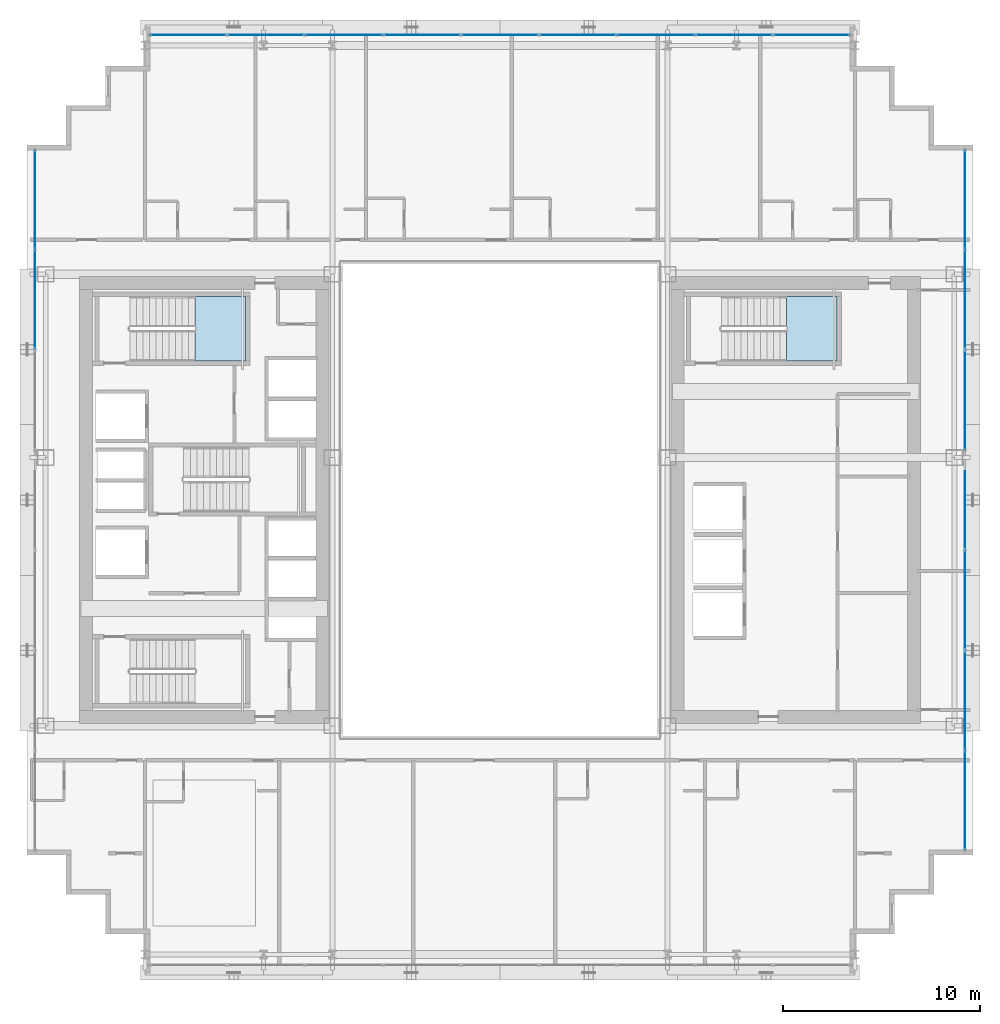
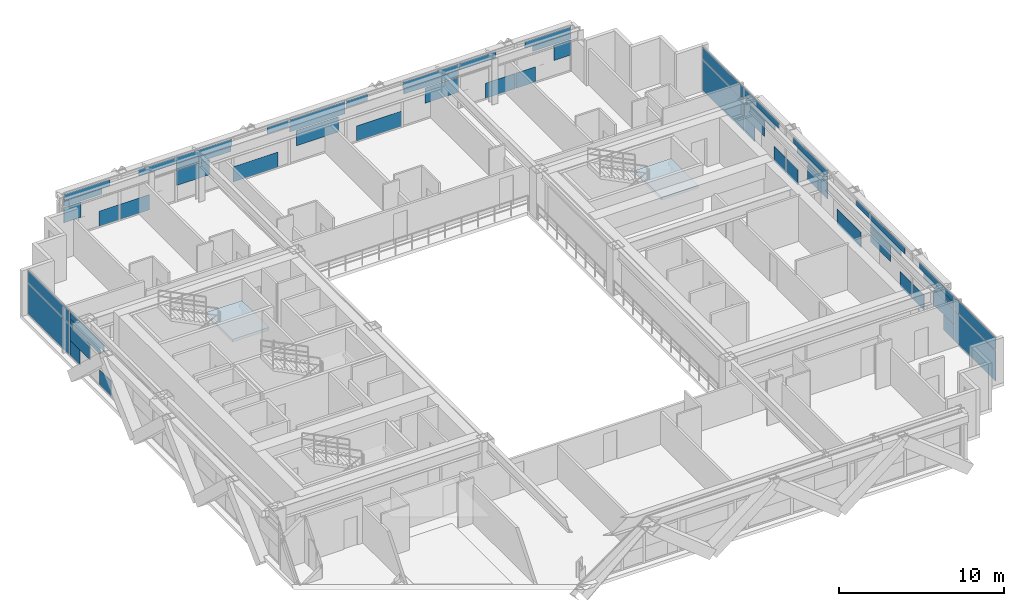
# One storey, part 24 of 35: 55 plates, 2 slabs, 5 elements without a shape of their own.
"""IFC4 building model written with IfcOpenShell, lengths in metres."""

from ifc_helpers import new_model, si_unit, direction, frame, origin, origin_2d, place, context, subcontext, project, spatial, polyline, rectangle, outline, extrude, source, transform, mapped, material, layer, layer_set, type_object, element, aggregate, save


model = new_model("IFC4")

# Units and contexts
model_context = context("Model", 3, precision=1e-05, world=origin(), true_north=direction((0.0, 1.0)))
body_context = subcontext(model_context, "Body", "Model", "MODEL_VIEW")
ifc_project = project(units=[si_unit("LENGTHUNIT", "METRE"), si_unit("AREAUNIT", "SQUARE_METRE"), si_unit("VOLUMEUNIT", "CUBIC_METRE"), si_unit("PLANEANGLEUNIT", "RADIAN"), si_unit("MASSUNIT", "GRAM", prefix="KILO")], contexts=[model_context])

# Site, building, storey
site_placement = place(None, origin())
site = spatial("IfcSite", under=ifc_project, at=site_placement, CompositionType="ELEMENT")
building_placement = place(site_placement, origin())
building = spatial("IfcBuilding", under=site, at=building_placement, Name="Ocotamira Hotel", CompositionType="ELEMENT")
storey_placement = place(building_placement, frame((0.0, 0.0, 140.39990234375)))
storey = spatial("IfcBuildingStorey", under=building, at=storey_placement, Name="L35", CompositionType="ELEMENT", Elevation=140.39990234375)

# Stair, slab
ifc_material_1 = material(Name="Concrete C40/50", Category="concrete")
stair_type = type_object("IfcStairType", Name="ST-CORE-1560", PredefinedType="HALF_TURN_STAIR", material=ifc_material_1)
stair_1_placement = place(storey_placement, origin())
stair_1 = element("IfcStair", 1, at=stair_1_placement, inside=storey, type_object=stair_type, Name="L35 Exit Stair ST-2", PredefinedType="HALF_TURN_STAIR")
ifc_layer_1 = layer(ifc_material_1, 0.199951171875)
ifc_layer_set_1 = layer_set([ifc_layer_1], Name="Concrete C40/50")
slab_type = type_object("IfcSlabType", Name="SLB-LAND-200", PredefinedType="LANDING", material=ifc_layer_set_1)
slab_1_placement = place(storey_placement, frame((0.0, 0.0, 1.60009765625)))
slab_1 = element("IfcSlab", 2, at=slab_1_placement, type_object=slab_type, Name="ST-2 landing 1", PredefinedType="LANDING", context=body_context, shape_type="SweptSolid", body=[
    extrude(outline(polyline([(16.530029296875, 33.050048828125), (19.090087890625, 33.050048828125), (19.090087890625, 36.330078125), (16.530029296875, 36.330078125), (16.530029296875, 33.050048828125)])), origin(), (0.0, 0.0, 1.0), 0.199951171875),
])
aggregate(stair_1, [slab_1])

stair_2_placement = place(storey_placement, origin())
stair_2 = element("IfcStair", 3, at=stair_2_placement, inside=storey, type_object=stair_type, Name="L35 Exit Stair ST-4", PredefinedType="HALF_TURN_STAIR")
slab_2_placement = place(storey_placement, frame((0.0, 0.0, 1.60009765625)))
slab_2 = element("IfcSlab", 4, at=slab_2_placement, type_object=slab_type, Name="ST-4 landing 1", PredefinedType="LANDING", context=body_context, shape_type="SweptSolid", body=[
    extrude(outline(polyline([(46.530029296875, 33.050048828125), (49.090087890625, 33.050048828125), (49.090087890625, 36.330078125), (46.530029296875, 36.330078125), (46.530029296875, 33.050048828125)])), origin(), (0.0, 0.0, 1.0), 0.199951171875),
])
aggregate(stair_2, [slab_2])

# Curtain wall, plate
ifc_material_2 = material(Name="Anodised pale-metal aluminium and solar glass", Category="aluminium")
ifc_layer_2 = layer(ifc_material_2, 0.179931640625)
ifc_layer_set_2 = layer_set([ifc_layer_2], Name="Anodised pale-metal aluminium and solar glass")
curtain_wall_type = type_object("IfcCurtainWallType", Name="CW-SYS3-Z2", PredefinedType="NOTDEFINED", material=ifc_layer_set_2)
curtain_wall_1_placement = place(storey_placement, origin())
curtain_wall_1 = element("IfcCurtainWall", 5, at=curtain_wall_1_placement, inside=storey, type_object=curtain_wall_type, Name="L35 Curtain Wall CW-3 CW-L35-W", PredefinedType="NOTDEFINED")
ifc_material_3 = material(Name="Double-silver low-E insulated solar glass", Category="glass")
ifc_layer_3 = layer(ifc_material_3, 0.031982421875)
ifc_layer_set_3 = layer_set([ifc_layer_3], Name="Double-silver low-E insulated solar glass")
plate_type = type_object("IfcPlateType", Name="CWP-VISION-32", PredefinedType="CURTAIN_PANEL", material=ifc_layer_set_3)
shared_shape_1 = source(origin(), body_context, "Body", "SweptSolid", [
    extrude(rectangle(XDim=4.9658203125, YDim=0.031982421875, at=origin_2d()), origin(), (0.0, 0.0, 1.0), 2.237548828125),
])
plate_1_placement = place(storey_placement, frame((8.419921875, 41.237060546875, 0.0751953125), z_axis=(0.0, 0.0, 1.0), x_axis=(0.0, 1.0, 0.0)))
plate_1 = element("IfcPlate", 6, at=plate_1_placement, type_object=plate_type, Name="CW-3 panel 7.1", PredefinedType="CURTAIN_PANEL", context=body_context, shape_type="MappedRepresentation", body=[
    mapped(shared_shape_1, transform((0.0, 0.0, 0.0), scale=1.0)),
])

# Curtain wall, plates
curtain_wall_2_placement = place(storey_placement, origin())
curtain_wall_2 = element("IfcCurtainWall", 7, at=curtain_wall_2_placement, inside=storey, type_object=curtain_wall_type, Name="L35 Curtain Wall CW-3 CW-L35-E", PredefinedType="NOTDEFINED")
plate_2_placement = place(storey_placement, frame((55.580078125, 10.762939453125, 0.0751953125), z_axis=(0.0, 0.0, 1.0), x_axis=(0.0, 1.0, 0.0)))
plate_2 = element("IfcPlate", 8, at=plate_2_placement, type_object=plate_type, Name="CW-3 panel 1.1", PredefinedType="CURTAIN_PANEL", context=body_context, shape_type="MappedRepresentation", body=[
    mapped(shared_shape_1, transform((0.0, 0.0, 0.0), scale=1.0)),
])
plate_3_placement = place(storey_placement, frame((55.580078125, 41.237060546875, 0.0751953125), z_axis=(0.0, 0.0, 1.0), x_axis=(0.0, 1.0, 0.0)))
plate_3 = element("IfcPlate", 9, at=plate_3_placement, type_object=plate_type, Name="CW-3 panel 7.1", PredefinedType="CURTAIN_PANEL", context=body_context, shape_type="MappedRepresentation", body=[
    mapped(shared_shape_1, transform((0.0, 0.0, 0.0), scale=1.0)),
])

curtain_wall_3_placement = place(storey_placement, origin())
curtain_wall_3 = element("IfcCurtainWall", 10, at=curtain_wall_3_placement, inside=storey, type_object=curtain_wall_type, Name="L35 Curtain Wall CW-3 CW-L35-N", PredefinedType="NOTDEFINED")
shared_shape_2 = source(origin(), body_context, "Body", "SweptSolid", [
    extrude(rectangle(XDim=1.184326171875, YDim=0.031982421875, at=origin_2d()), origin(), (0.0, 0.0, 1.0), 1.118896484375),
])
plate_4_placement = place(storey_placement, frame((14.872314453125, 49.580078125, 1.19384765625), z_axis=(0.0, 0.0, 1.0), x_axis=(1.0, 0.0, 0.0)))
plate_4 = element("IfcPlate", 11, at=plate_4_placement, type_object=plate_type, Name="CW-3 panel 1.1.1", PredefinedType="CURTAIN_PANEL", context=body_context, shape_type="MappedRepresentation", body=[
    mapped(shared_shape_2, transform((0.0, 0.0, 0.0), scale=1.0)),
])
plate_5_placement = place(storey_placement, frame((49.127685546875, 49.580078125, 1.19384765625), z_axis=(0.0, 0.0, 1.0), x_axis=(1.0, 0.0, 0.0)))
plate_5 = element("IfcPlate", 12, at=plate_5_placement, type_object=plate_type, Name="CW-3 panel 9.1.2", PredefinedType="CURTAIN_PANEL", context=body_context, shape_type="MappedRepresentation", body=[
    mapped(shared_shape_2, transform((0.0, 0.0, 0.0), scale=1.0)),
])
shared_shape_3 = source(origin(), body_context, "Body", "SweptSolid", [
    extrude(rectangle(XDim=2.676513671875, YDim=0.031982421875, at=origin_2d()), origin(), (0.0, 0.0, 1.0), 0.39453125),
])
plate_6_placement = place(storey_placement, frame((15.618408203125, 49.580078125, 2.3876953125), z_axis=(0.0, 0.0, 1.0), x_axis=(1.0, 0.0, 0.0)))
plate_6 = element("IfcPlate", 13, at=plate_6_placement, type_object=plate_type, Name="CW-3 panel 1.2.1", PredefinedType="CURTAIN_PANEL", context=body_context, shape_type="MappedRepresentation", body=[
    mapped(shared_shape_3, transform((0.0, 0.0, 0.0), scale=1.0)),
])
plate_7_placement = place(storey_placement, frame((48.381591796875, 49.580078125, 2.3876953125), z_axis=(0.0, 0.0, 1.0), x_axis=(1.0, 0.0, 0.0)))
plate_7 = element("IfcPlate", 14, at=plate_7_placement, type_object=plate_type, Name="CW-3 panel 9.2.2", PredefinedType="CURTAIN_PANEL", context=body_context, shape_type="MappedRepresentation", body=[
    mapped(shared_shape_3, transform((0.0, 0.0, 0.0), scale=1.0)),
])
shared_shape_4 = source(origin(), body_context, "Body", "SweptSolid", [
    extrude(rectangle(XDim=3.208740234375, YDim=0.031982421875, at=origin_2d()), origin(), (0.0, 0.0, 1.0), 0.4716796875),
])
plate_8_placement = place(storey_placement, frame((15.884521484375, 49.580078125, 2.8134765625), z_axis=(0.0, 0.0, 1.0), x_axis=(1.0, 0.0, 0.0)))
plate_8 = element("IfcPlate", 15, at=plate_8_placement, type_object=plate_type, Name="CW-3 panel 1.2.2", PredefinedType="CURTAIN_PANEL", context=body_context, shape_type="MappedRepresentation", body=[
    mapped(shared_shape_4, transform((0.0, 0.0, 0.0), scale=1.0)),
])
plate_9_placement = place(storey_placement, frame((48.115478515625, 49.580078125, 2.8134765625), z_axis=(0.0, 0.0, 1.0), x_axis=(1.0, 0.0, 0.0)))
plate_9 = element("IfcPlate", 16, at=plate_9_placement, type_object=plate_type, Name="CW-3 panel 9.2.1", PredefinedType="CURTAIN_PANEL", context=body_context, shape_type="MappedRepresentation", body=[
    mapped(shared_shape_4, transform((0.0, 0.0, 0.0), scale=1.0)),
])
shared_shape_5 = source(origin(), body_context, "Body", "SweptSolid", [
    extrude(rectangle(XDim=2.559814453125, YDim=0.031982421875, at=origin_2d()), origin(), (0.0, 0.0, 1.0), 0.4716796875),
])
plate_10_placement = place(storey_placement, frame((20.791259765625, 49.580078125, 2.8134765625), z_axis=(0.0, 0.0, 1.0), x_axis=(1.0, 0.0, 0.0)))
plate_10 = element("IfcPlate", 17, at=plate_10_placement, type_object=plate_type, Name="CW-3 panel 2.2.1", PredefinedType="CURTAIN_PANEL", context=body_context, shape_type="MappedRepresentation", body=[
    mapped(shared_shape_5, transform((0.0, 0.0, 0.0), scale=1.0)),
])
plate_11_placement = place(storey_placement, frame((43.208740234375, 49.580078125, 2.8134765625), z_axis=(0.0, 0.0, 1.0), x_axis=(1.0, 0.0, 0.0)))
plate_11 = element("IfcPlate", 18, at=plate_11_placement, type_object=plate_type, Name="CW-3 panel 8.2.1", PredefinedType="CURTAIN_PANEL", context=body_context, shape_type="MappedRepresentation", body=[
    mapped(shared_shape_5, transform((0.0, 0.0, 0.0), scale=1.0)),
])
shared_shape_6 = source(origin(), body_context, "Body", "SweptSolid", [
    extrude(rectangle(XDim=2.313232421875, YDim=0.031982421875, at=origin_2d()), origin(), (0.0, 0.0, 1.0), 1.118896484375),
])
plate_12_placement = place(storey_placement, frame((23.3076171875, 49.580078125, 1.19384765625), z_axis=(0.0, 0.0, 1.0), x_axis=(1.0, 0.0, 0.0)))
plate_12 = element("IfcPlate", 19, at=plate_12_placement, type_object=plate_type, Name="CW-3 panel 3.1.1", PredefinedType="CURTAIN_PANEL", context=body_context, shape_type="MappedRepresentation", body=[
    mapped(shared_shape_6, transform((0.0, 0.0, 0.0), scale=1.0)),
])
plate_13_placement = place(storey_placement, frame((40.6923828125, 49.580078125, 1.19384765625), z_axis=(0.0, 0.0, 1.0), x_axis=(1.0, 0.0, 0.0)))
plate_13 = element("IfcPlate", 20, at=plate_13_placement, type_object=plate_type, Name="CW-3 panel 7.1.1", PredefinedType="CURTAIN_PANEL", context=body_context, shape_type="MappedRepresentation", body=[
    mapped(shared_shape_6, transform((0.0, 0.0, 0.0), scale=1.0)),
])
shared_shape_7 = source(origin(), body_context, "Body", "SweptSolid", [
    extrude(rectangle(XDim=3.805419921875, YDim=0.031982421875, at=origin_2d()), origin(), (0.0, 0.0, 1.0), 0.42578125),
])
plate_14_placement = place(storey_placement, frame((24.0537109375, 49.580078125, 2.3876953125), z_axis=(0.0, 0.0, 1.0), x_axis=(1.0, 0.0, 0.0)))
plate_14 = element("IfcPlate", 21, at=plate_14_placement, type_object=plate_type, Name="CW-3 panel 3.2.1", PredefinedType="CURTAIN_PANEL", context=body_context, shape_type="MappedRepresentation", body=[
    mapped(shared_shape_7, transform((0.0, 0.0, 0.0), scale=1.0)),
])
plate_15_placement = place(storey_placement, frame((39.9462890625, 49.580078125, 2.3876953125), z_axis=(0.0, 0.0, 1.0), x_axis=(1.0, 0.0, 0.0)))
plate_15 = element("IfcPlate", 22, at=plate_15_placement, type_object=plate_type, Name="CW-3 panel 7.2.2", PredefinedType="CURTAIN_PANEL", context=body_context, shape_type="MappedRepresentation", body=[
    mapped(shared_shape_7, transform((0.0, 0.0, 0.0), scale=1.0)),
])
shared_shape_8 = source(origin(), body_context, "Body", "SweptSolid", [
    extrude(rectangle(XDim=3.87548828125, YDim=0.031982421875, at=origin_2d()), origin(), (0.0, 0.0, 1.0), 0.4716796875),
])
plate_16_placement = place(storey_placement, frame((24.0888671875, 49.580078125, 2.8134765625), z_axis=(0.0, 0.0, 1.0), x_axis=(1.0, 0.0, 0.0)))
plate_16 = element("IfcPlate", 23, at=plate_16_placement, type_object=plate_type, Name="CW-3 panel 3.2.2", PredefinedType="CURTAIN_PANEL", context=body_context, shape_type="MappedRepresentation", body=[
    mapped(shared_shape_8, transform((0.0, 0.0, 0.0), scale=1.0)),
])
plate_17_placement = place(storey_placement, frame((39.9111328125, 49.580078125, 2.8134765625), z_axis=(0.0, 0.0, 1.0), x_axis=(1.0, 0.0, 0.0)))
plate_17 = element("IfcPlate", 24, at=plate_17_placement, type_object=plate_type, Name="CW-3 panel 7.2.1", PredefinedType="CURTAIN_PANEL", context=body_context, shape_type="MappedRepresentation", body=[
    mapped(shared_shape_8, transform((0.0, 0.0, 0.0), scale=1.0)),
])
shared_shape_9 = source(origin(), body_context, "Body", "SweptSolid", [
    extrude(rectangle(XDim=1.470947265625, YDim=0.031982421875, at=origin_2d()), origin(), (0.0, 0.0, 1.0), 0.4716796875),
])
plate_18_placement = place(storey_placement, frame((29.24658203125, 49.580078125, 2.8134765625), z_axis=(0.0, 0.0, 1.0), x_axis=(1.0, 0.0, 0.0)))
plate_18 = element("IfcPlate", 25, at=plate_18_placement, type_object=plate_type, Name="CW-3 panel 4.2.1", PredefinedType="CURTAIN_PANEL", context=body_context, shape_type="MappedRepresentation", body=[
    mapped(shared_shape_9, transform((0.0, 0.0, 0.0), scale=1.0)),
])
plate_19_placement = place(storey_placement, frame((34.75341796875, 49.580078125, 2.8134765625), z_axis=(0.0, 0.0, 1.0), x_axis=(1.0, 0.0, 0.0)))
plate_19 = element("IfcPlate", 26, at=plate_19_placement, type_object=plate_type, Name="CW-3 panel 6.2.1", PredefinedType="CURTAIN_PANEL", context=body_context, shape_type="MappedRepresentation", body=[
    mapped(shared_shape_9, transform((0.0, 0.0, 0.0), scale=1.0)),
])
shared_shape_10 = source(origin(), body_context, "Body", "SweptSolid", [
    extrude(rectangle(XDim=2.9287109375, YDim=0.031982421875, at=origin_2d()), origin(), (0.0, 0.0, 1.0), 1.118896484375),
])
plate_20_placement = place(storey_placement, frame((32.0, 49.580078125, 1.19384765625), z_axis=(0.0, 0.0, 1.0), x_axis=(1.0, 0.0, 0.0)))
plate_20 = element("IfcPlate", 27, at=plate_20_placement, type_object=plate_type, Name="CW-3 panel 5.1.1", PredefinedType="CURTAIN_PANEL", context=body_context, shape_type="MappedRepresentation", body=[
    mapped(shared_shape_10, transform((0.0, 0.0, 0.0), scale=1.0)),
])
shared_shape_11 = source(origin(), body_context, "Body", "SweptSolid", [
    extrude(rectangle(XDim=3.87548828125, YDim=0.031982421875, at=origin_2d()), origin(), (0.0, 0.0, 1.0), 0.8974609375),
])
plate_21_placement = place(storey_placement, frame((32.0, 49.580078125, 2.3876953125), z_axis=(0.0, 0.0, 1.0), x_axis=(1.0, 0.0, 0.0)))
plate_21 = element("IfcPlate", 28, at=plate_21_placement, type_object=plate_type, Name="CW-3 panel 5.2", PredefinedType="CURTAIN_PANEL", context=body_context, shape_type="MappedRepresentation", body=[
    mapped(shared_shape_11, transform((0.0, 0.0, 0.0), scale=1.0)),
])

# Plate
shared_shape_12 = source(origin(), body_context, "Body", "SweptSolid", [
    extrude(rectangle(XDim=4.9658203125, YDim=0.031982421875, at=origin_2d()), origin(), (0.0, 0.0, 1.0), 0.8974609375),
])
plate_22_placement = place(storey_placement, frame((8.419921875, 41.237060546875, 2.3876953125), z_axis=(0.0, 0.0, 1.0), x_axis=(0.0, 1.0, 0.0)))
plate_22 = element("IfcPlate", 29, at=plate_22_placement, type_object=plate_type, Name="CW-3 panel 7.2", PredefinedType="CURTAIN_PANEL", context=body_context, shape_type="MappedRepresentation", body=[
    mapped(shared_shape_12, transform((0.0, 0.0, 0.0), scale=1.0)),
])

plate_23_placement = place(storey_placement, frame((55.580078125, 10.762939453125, 2.3876953125), z_axis=(0.0, 0.0, 1.0), x_axis=(0.0, 1.0, 0.0)))
plate_23 = element("IfcPlate", 30, at=plate_23_placement, type_object=plate_type, Name="CW-3 panel 1.2", PredefinedType="CURTAIN_PANEL", context=body_context, shape_type="MappedRepresentation", body=[
    mapped(shared_shape_12, transform((0.0, 0.0, 0.0), scale=1.0)),
])

plate_24_placement = place(storey_placement, frame((55.580078125, 41.237060546875, 2.3876953125), z_axis=(0.0, 0.0, 1.0), x_axis=(0.0, 1.0, 0.0)))
plate_24 = element("IfcPlate", 31, at=plate_24_placement, type_object=plate_type, Name="CW-3 panel 7.2", PredefinedType="CURTAIN_PANEL", context=body_context, shape_type="MappedRepresentation", body=[
    mapped(shared_shape_12, transform((0.0, 0.0, 0.0), scale=1.0)),
])

shared_shape_13 = source(origin(), body_context, "Body", "SweptSolid", [
    extrude(rectangle(XDim=2.426513671875, YDim=0.031982421875, at=origin_2d()), origin(), (0.0, 0.0, 1.0), 1.118896484375),
])
plate_25_placement = place(storey_placement, frame((8.419921875, 37.461181640625, 1.19384765625), z_axis=(0.0, 0.0, 1.0), x_axis=(0.0, 1.0, 0.0)))
plate_25 = element("IfcPlate", 32, at=plate_25_placement, type_object=plate_type, Name="CW-3 panel 6.1.2", PredefinedType="CURTAIN_PANEL", context=body_context, shape_type="MappedRepresentation", body=[
    mapped(shared_shape_13, transform((0.0, 0.0, 0.0), scale=1.0)),
])

plate_26_placement = place(storey_placement, frame((55.580078125, 14.538818359375, 1.19384765625), z_axis=(0.0, 0.0, 1.0), x_axis=(0.0, 1.0, 0.0)))
plate_26 = element("IfcPlate", 33, at=plate_26_placement, type_object=plate_type, Name="CW-3 panel 2.1.2", PredefinedType="CURTAIN_PANEL", context=body_context, shape_type="MappedRepresentation", body=[
    mapped(shared_shape_13, transform((0.0, 0.0, 0.0), scale=1.0)),
])

plate_27_placement = place(storey_placement, frame((55.580078125, 37.461181640625, 1.19384765625), z_axis=(0.0, 0.0, 1.0), x_axis=(0.0, 1.0, 0.0)))
plate_27 = element("IfcPlate", 34, at=plate_27_placement, type_object=plate_type, Name="CW-3 panel 6.1.2", PredefinedType="CURTAIN_PANEL", context=body_context, shape_type="MappedRepresentation", body=[
    mapped(shared_shape_13, transform((0.0, 0.0, 0.0), scale=1.0)),
])

shared_shape_14 = source(origin(), body_context, "Body", "SweptSolid", [
    extrude(rectangle(XDim=3.69189453125, YDim=0.031982421875, at=origin_2d()), origin(), (0.0, 0.0, 1.0), 0.414306640625),
])
plate_28_placement = place(storey_placement, frame((8.419921875, 36.828369140625, 2.3876953125), z_axis=(0.0, 0.0, 1.0), x_axis=(0.0, 1.0, 0.0)))
plate_28 = element("IfcPlate", 35, at=plate_28_placement, type_object=plate_type, Name="CW-3 panel 6.2.2", PredefinedType="CURTAIN_PANEL", context=body_context, shape_type="MappedRepresentation", body=[
    mapped(shared_shape_14, transform((0.0, 0.0, 0.0), scale=1.0)),
])

plate_29_placement = place(storey_placement, frame((55.580078125, 15.171630859375, 2.3876953125), z_axis=(0.0, 0.0, 1.0), x_axis=(0.0, 1.0, 0.0)))
plate_29 = element("IfcPlate", 36, at=plate_29_placement, type_object=plate_type, Name="CW-3 panel 2.2.1", PredefinedType="CURTAIN_PANEL", context=body_context, shape_type="MappedRepresentation", body=[
    mapped(shared_shape_14, transform((0.0, 0.0, 0.0), scale=1.0)),
])

plate_30_placement = place(storey_placement, frame((55.580078125, 36.828369140625, 2.3876953125), z_axis=(0.0, 0.0, 1.0), x_axis=(0.0, 1.0, 0.0)))
plate_30 = element("IfcPlate", 37, at=plate_30_placement, type_object=plate_type, Name="CW-3 panel 6.2.2", PredefinedType="CURTAIN_PANEL", context=body_context, shape_type="MappedRepresentation", body=[
    mapped(shared_shape_14, transform((0.0, 0.0, 0.0), scale=1.0)),
])

shared_shape_15 = source(origin(), body_context, "Body", "SweptSolid", [
    extrude(rectangle(XDim=4.16748046875, YDim=0.031982421875, at=origin_2d()), origin(), (0.0, 0.0, 1.0), 0.44873046875),
])
plate_31_placement = place(storey_placement, frame((8.419921875, 36.590576171875, 2.83642578125), z_axis=(0.0, 0.0, 1.0), x_axis=(0.0, 1.0, 0.0)))
plate_31 = element("IfcPlate", 38, at=plate_31_placement, type_object=plate_type, Name="CW-3 panel 6.2.1", PredefinedType="CURTAIN_PANEL", context=body_context, shape_type="MappedRepresentation", body=[
    mapped(shared_shape_15, transform((0.0, 0.0, 0.0), scale=1.0)),
])

plate_32_placement = place(storey_placement, frame((55.580078125, 15.409423828125, 2.83642578125), z_axis=(0.0, 0.0, 1.0), x_axis=(0.0, 1.0, 0.0)))
plate_32 = element("IfcPlate", 39, at=plate_32_placement, type_object=plate_type, Name="CW-3 panel 2.2.2", PredefinedType="CURTAIN_PANEL", context=body_context, shape_type="MappedRepresentation", body=[
    mapped(shared_shape_15, transform((0.0, 0.0, 0.0), scale=1.0)),
])

plate_33_placement = place(storey_placement, frame((55.580078125, 36.590576171875, 2.83642578125), z_axis=(0.0, 0.0, 1.0), x_axis=(0.0, 1.0, 0.0)))
plate_33 = element("IfcPlate", 40, at=plate_33_placement, type_object=plate_type, Name="CW-3 panel 6.2.1", PredefinedType="CURTAIN_PANEL", context=body_context, shape_type="MappedRepresentation", body=[
    mapped(shared_shape_15, transform((0.0, 0.0, 0.0), scale=1.0)),
])

shared_shape_16 = source(origin(), body_context, "Body", "SweptSolid", [
    extrude(rectangle(XDim=2.404296875, YDim=0.031982421875, at=origin_2d()), origin(), (0.0, 0.0, 1.0), 1.118896484375),
])
plate_34_placement = place(storey_placement, frame((55.580078125, 22.183349609375, 1.19384765625), z_axis=(0.0, 0.0, 1.0), x_axis=(0.0, 1.0, 0.0)))
plate_34 = element("IfcPlate", 41, at=plate_34_placement, type_object=plate_type, Name="CW-3 panel 3.1.2", PredefinedType="CURTAIN_PANEL", context=body_context, shape_type="MappedRepresentation", body=[
    mapped(shared_shape_16, transform((0.0, 0.0, 0.0), scale=1.0)),
])

plate_35_placement = place(storey_placement, frame((55.580078125, 29.816650390625, 1.19384765625), z_axis=(0.0, 0.0, 1.0), x_axis=(0.0, 1.0, 0.0)))
plate_35 = element("IfcPlate", 42, at=plate_35_placement, type_object=plate_type, Name="CW-3 panel 5.1.1", PredefinedType="CURTAIN_PANEL", context=body_context, shape_type="MappedRepresentation", body=[
    mapped(shared_shape_16, transform((0.0, 0.0, 0.0), scale=1.0)),
])

shared_shape_17 = source(origin(), body_context, "Body", "SweptSolid", [
    extrude(rectangle(XDim=4.17724609375, YDim=0.031982421875, at=origin_2d()), origin(), (0.0, 0.0, 1.0), 0.44873046875),
])
plate_36_placement = place(storey_placement, frame((55.580078125, 21.32861328125, 2.83642578125), z_axis=(0.0, 0.0, 1.0), x_axis=(0.0, 1.0, 0.0)))
plate_36 = element("IfcPlate", 43, at=plate_36_placement, type_object=plate_type, Name="CW-3 panel 3.2.1", PredefinedType="CURTAIN_PANEL", context=body_context, shape_type="MappedRepresentation", body=[
    mapped(shared_shape_17, transform((0.0, 0.0, 0.0), scale=1.0)),
])

plate_37_placement = place(storey_placement, frame((55.580078125, 30.67138671875, 2.83642578125), z_axis=(0.0, 0.0, 1.0), x_axis=(0.0, 1.0, 0.0)))
plate_37 = element("IfcPlate", 44, at=plate_37_placement, type_object=plate_type, Name="CW-3 panel 5.2.2", PredefinedType="CURTAIN_PANEL", context=body_context, shape_type="MappedRepresentation", body=[
    mapped(shared_shape_17, transform((0.0, 0.0, 0.0), scale=1.0)),
])

shared_shape_18 = source(origin(), body_context, "Body", "SweptSolid", [
    extrude(rectangle(XDim=3.70166015625, YDim=0.031982421875, at=origin_2d()), origin(), (0.0, 0.0, 1.0), 0.414306640625),
])
plate_38_placement = place(storey_placement, frame((55.580078125, 21.56640625, 2.3876953125), z_axis=(0.0, 0.0, 1.0), x_axis=(0.0, 1.0, 0.0)))
plate_38 = element("IfcPlate", 45, at=plate_38_placement, type_object=plate_type, Name="CW-3 panel 3.2.2", PredefinedType="CURTAIN_PANEL", context=body_context, shape_type="MappedRepresentation", body=[
    mapped(shared_shape_18, transform((0.0, 0.0, 0.0), scale=1.0)),
])

plate_39_placement = place(storey_placement, frame((55.580078125, 30.43359375, 2.3876953125), z_axis=(0.0, 0.0, 1.0), x_axis=(0.0, 1.0, 0.0)))
plate_39 = element("IfcPlate", 46, at=plate_39_placement, type_object=plate_type, Name="CW-3 panel 5.2.1", PredefinedType="CURTAIN_PANEL", context=body_context, shape_type="MappedRepresentation", body=[
    mapped(shared_shape_18, transform((0.0, 0.0, 0.0), scale=1.0)),
])

shared_shape_19 = source(origin(), body_context, "Body", "SweptSolid", [
    extrude(rectangle(XDim=1.629638671875, YDim=0.031982421875, at=origin_2d()), origin(), (0.0, 0.0, 1.0), 0.44873046875),
])
plate_40_placement = place(storey_placement, frame((55.580078125, 24.31201171875, 2.83642578125), z_axis=(0.0, 0.0, 1.0), x_axis=(0.0, 1.0, 0.0)))
plate_40 = element("IfcPlate", 47, at=plate_40_placement, type_object=plate_type, Name="CW-3 panel 4.2.1", PredefinedType="CURTAIN_PANEL", context=body_context, shape_type="MappedRepresentation", body=[
    mapped(shared_shape_19, transform((0.0, 0.0, 0.0), scale=1.0)),
])

shared_shape_20 = source(origin(), body_context, "Body", "SweptSolid", [
    extrude(rectangle(XDim=1.37060546875, YDim=0.031982421875, at=origin_2d()), origin(), (0.0, 0.0, 1.0), 1.118896484375),
])
plate_41_placement = place(storey_placement, frame((17.430419921875, 49.580078125, 0.0751953125), z_axis=(0.0, 0.0, 1.0), x_axis=(1.0, 0.0, 0.0)))
plate_41 = element("IfcPlate", 48, at=plate_41_placement, type_object=plate_type, Name="CW-3 panel 1.1.2", PredefinedType="CURTAIN_PANEL", context=body_context, shape_type="MappedRepresentation", body=[
    mapped(shared_shape_20, transform((0.0, 0.0, 0.0), scale=1.0)),
])

plate_42_placement = place(storey_placement, frame((46.569580078125, 49.580078125, 0.0751953125), z_axis=(0.0, 0.0, 1.0), x_axis=(1.0, 0.0, 0.0)))
plate_42 = element("IfcPlate", 49, at=plate_42_placement, type_object=plate_type, Name="CW-3 panel 9.1.1", PredefinedType="CURTAIN_PANEL", context=body_context, shape_type="MappedRepresentation", body=[
    mapped(shared_shape_20, transform((0.0, 0.0, 0.0), scale=1.0)),
])

shared_shape_21 = source(origin(), body_context, "Body", "SweptSolid", [
    extrude(rectangle(XDim=2.059326171875, YDim=0.031982421875, at=origin_2d()), origin(), (0.0, 0.0, 1.0), 1.118896484375),
])
plate_43_placement = place(storey_placement, frame((19.225341796875, 49.580078125, 0.0751953125), z_axis=(0.0, 0.0, 1.0), x_axis=(1.0, 0.0, 0.0)))
plate_43 = element("IfcPlate", 50, at=plate_43_placement, type_object=plate_type, Name="CW-3 panel 2.1.1", PredefinedType="CURTAIN_PANEL", context=body_context, shape_type="MappedRepresentation", body=[
    mapped(shared_shape_21, transform((0.0, 0.0, 0.0), scale=1.0)),
])

plate_44_placement = place(storey_placement, frame((44.774658203125, 49.580078125, 0.0751953125), z_axis=(0.0, 0.0, 1.0), x_axis=(1.0, 0.0, 0.0)))
plate_44 = element("IfcPlate", 51, at=plate_44_placement, type_object=plate_type, Name="CW-3 panel 8.1.1", PredefinedType="CURTAIN_PANEL", context=body_context, shape_type="MappedRepresentation", body=[
    mapped(shared_shape_21, transform((0.0, 0.0, 0.0), scale=1.0)),
])

shared_shape_22 = source(origin(), body_context, "Body", "SweptSolid", [
    extrude(rectangle(XDim=3.148193359375, YDim=0.031982421875, at=origin_2d()), origin(), (0.0, 0.0, 1.0), 1.118896484375),
])
plate_45_placement = place(storey_placement, frame((27.680908203125, 49.580078125, 0.0751953125), z_axis=(0.0, 0.0, 1.0), x_axis=(1.0, 0.0, 0.0)))
plate_45 = element("IfcPlate", 52, at=plate_45_placement, type_object=plate_type, Name="CW-3 panel 4.1.1", PredefinedType="CURTAIN_PANEL", context=body_context, shape_type="MappedRepresentation", body=[
    mapped(shared_shape_22, transform((0.0, 0.0, 0.0), scale=1.0)),
])

plate_46_placement = place(storey_placement, frame((36.319091796875, 49.580078125, 0.0751953125), z_axis=(0.0, 0.0, 1.0), x_axis=(1.0, 0.0, 0.0)))
plate_46 = element("IfcPlate", 53, at=plate_46_placement, type_object=plate_type, Name="CW-3 panel 6.1.1", PredefinedType="CURTAIN_PANEL", context=body_context, shape_type="MappedRepresentation", body=[
    mapped(shared_shape_22, transform((0.0, 0.0, 0.0), scale=1.0)),
])

aggregate(curtain_wall_3, [plate_4, plate_41, plate_6, plate_8, plate_43, plate_10, plate_12, plate_14, plate_16, plate_45, plate_18, plate_20, plate_21, plate_46, plate_19, plate_13, plate_17, plate_15, plate_44, plate_11, plate_42, plate_5, plate_9, plate_7])

shared_shape_23 = source(origin(), body_context, "Body", "SweptSolid", [
    extrude(rectangle(XDim=1.240234375, YDim=0.031982421875, at=origin_2d()), origin(), (0.0, 0.0, 1.0), 1.118896484375),
])
plate_47_placement = place(storey_placement, frame((8.419921875, 38.05419921875, 0.0751953125), z_axis=(0.0, 0.0, 1.0), x_axis=(0.0, 1.0, 0.0)))
plate_47 = element("IfcPlate", 54, at=plate_47_placement, type_object=plate_type, Name="CW-3 panel 6.1.3", PredefinedType="CURTAIN_PANEL", context=body_context, shape_type="MappedRepresentation", body=[
    mapped(shared_shape_23, transform((0.0, 0.0, 0.0), scale=1.0)),
])

plate_48_placement = place(storey_placement, frame((55.580078125, 13.94580078125, 0.0751953125), z_axis=(0.0, 0.0, 1.0), x_axis=(0.0, 1.0, 0.0)))
plate_48 = element("IfcPlate", 55, at=plate_48_placement, type_object=plate_type, Name="CW-3 panel 2.1.1", PredefinedType="CURTAIN_PANEL", context=body_context, shape_type="MappedRepresentation", body=[
    mapped(shared_shape_23, transform((0.0, 0.0, 0.0), scale=1.0)),
])

plate_49_placement = place(storey_placement, frame((55.580078125, 38.05419921875, 0.0751953125), z_axis=(0.0, 0.0, 1.0), x_axis=(0.0, 1.0, 0.0)))
plate_49 = element("IfcPlate", 56, at=plate_49_placement, type_object=plate_type, Name="CW-3 panel 6.1.3", PredefinedType="CURTAIN_PANEL", context=body_context, shape_type="MappedRepresentation", body=[
    mapped(shared_shape_23, transform((0.0, 0.0, 0.0), scale=1.0)),
])

shared_shape_24 = source(origin(), body_context, "Body", "SweptSolid", [
    extrude(rectangle(XDim=1.413330078125, YDim=0.031982421875, at=origin_2d()), origin(), (0.0, 0.0, 1.0), 1.118896484375),
])
plate_50_placement = place(storey_placement, frame((8.419921875, 34.375244140625, 0.0751953125), z_axis=(0.0, 0.0, 1.0), x_axis=(0.0, 1.0, 0.0)))
plate_50 = element("IfcPlate", 57, at=plate_50_placement, type_object=plate_type, Name="CW-3 panel 6.1.1", PredefinedType="CURTAIN_PANEL", context=body_context, shape_type="MappedRepresentation", body=[
    mapped(shared_shape_24, transform((0.0, 0.0, 0.0), scale=1.0)),
])

aggregate(curtain_wall_1, [plate_50, plate_25, plate_47, plate_31, plate_28, plate_1, plate_22])

plate_51_placement = place(storey_placement, frame((55.580078125, 17.624755859375, 0.0751953125), z_axis=(0.0, 0.0, 1.0), x_axis=(0.0, 1.0, 0.0)))
plate_51 = element("IfcPlate", 58, at=plate_51_placement, type_object=plate_type, Name="CW-3 panel 2.1.3", PredefinedType="CURTAIN_PANEL", context=body_context, shape_type="MappedRepresentation", body=[
    mapped(shared_shape_24, transform((0.0, 0.0, 0.0), scale=1.0)),
])

plate_52_placement = place(storey_placement, frame((55.580078125, 34.375244140625, 0.0751953125), z_axis=(0.0, 0.0, 1.0), x_axis=(0.0, 1.0, 0.0)))
plate_52 = element("IfcPlate", 59, at=plate_52_placement, type_object=plate_type, Name="CW-3 panel 6.1.1", PredefinedType="CURTAIN_PANEL", context=body_context, shape_type="MappedRepresentation", body=[
    mapped(shared_shape_24, transform((0.0, 0.0, 0.0), scale=1.0)),
])

shared_shape_25 = source(origin(), body_context, "Body", "SweptSolid", [
    extrude(rectangle(XDim=1.40380859375, YDim=0.031982421875, at=origin_2d()), origin(), (0.0, 0.0, 1.0), 1.118896484375),
])
plate_53_placement = place(storey_placement, frame((55.580078125, 19.11328125, 0.0751953125), z_axis=(0.0, 0.0, 1.0), x_axis=(0.0, 1.0, 0.0)))
plate_53 = element("IfcPlate", 60, at=plate_53_placement, type_object=plate_type, Name="CW-3 panel 3.1.1", PredefinedType="CURTAIN_PANEL", context=body_context, shape_type="MappedRepresentation", body=[
    mapped(shared_shape_25, transform((0.0, 0.0, 0.0), scale=1.0)),
])

plate_54_placement = place(storey_placement, frame((55.580078125, 32.88671875, 0.0751953125), z_axis=(0.0, 0.0, 1.0), x_axis=(0.0, 1.0, 0.0)))
plate_54 = element("IfcPlate", 61, at=plate_54_placement, type_object=plate_type, Name="CW-3 panel 5.1.2", PredefinedType="CURTAIN_PANEL", context=body_context, shape_type="MappedRepresentation", body=[
    mapped(shared_shape_25, transform((0.0, 0.0, 0.0), scale=1.0)),
])

shared_shape_26 = source(origin(), body_context, "Body", "SweptSolid", [
    extrude(rectangle(XDim=2.897216796875, YDim=0.031982421875, at=origin_2d()), origin(), (0.0, 0.0, 1.0), 1.118896484375),
])
plate_55_placement = place(storey_placement, frame((55.580078125, 26.0, 0.0751953125), z_axis=(0.0, 0.0, 1.0), x_axis=(0.0, 1.0, 0.0)))
plate_55 = element("IfcPlate", 62, at=plate_55_placement, type_object=plate_type, Name="CW-3 panel 4.1.1", PredefinedType="CURTAIN_PANEL", context=body_context, shape_type="MappedRepresentation", body=[
    mapped(shared_shape_26, transform((0.0, 0.0, 0.0), scale=1.0)),
])

aggregate(curtain_wall_2, [plate_2, plate_23, plate_48, plate_26, plate_51, plate_29, plate_32, plate_53, plate_34, plate_36, plate_38, plate_55, plate_40, plate_35, plate_54, plate_39, plate_37, plate_52, plate_27, plate_49, plate_33, plate_30, plate_3, plate_24])

save(model, "model.ifc")
